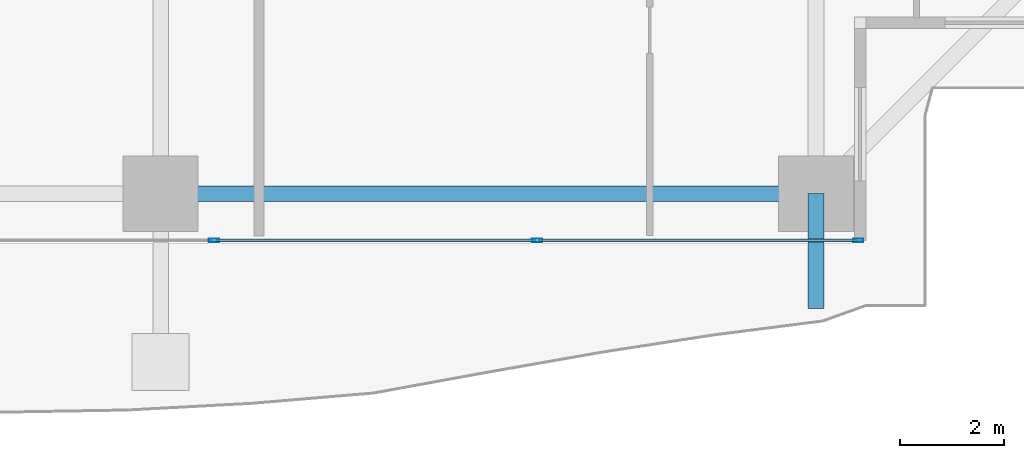
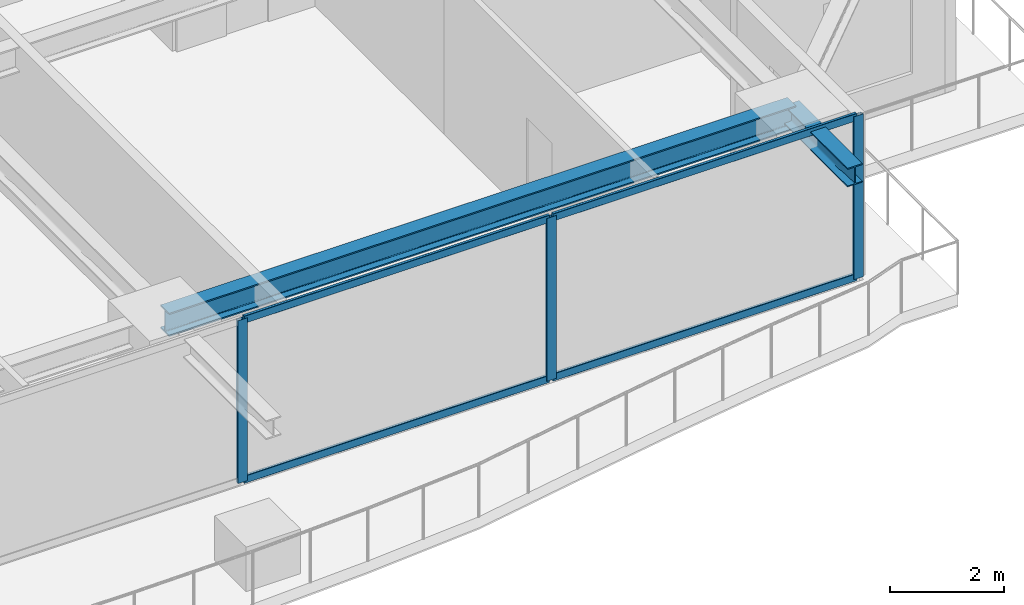
# One storey, part 11 of 41: 7 members, 2 beams, 1 element without a shape of its own.
"""IFC4 building model written with IfcOpenShell, lengths in metres."""

from ifc_helpers import new_model, si_unit, direction, frame, origin, origin_2d, place, context, subcontext, project, spatial, hollow_rectangle, i_section, extrude, source, transform, mapped, material, layer, layer_set, material_profile, profile_set, type_object, element, aggregate, save


model = new_model("IFC4")

# Units and contexts
model_context = context("Model", 3, precision=1e-05, world=origin(), true_north=direction((0.0, 1.0)))
body_context = subcontext(model_context, "Body", "Model", "MODEL_VIEW")
ifc_project = project(units=[si_unit("LENGTHUNIT", "METRE"), si_unit("AREAUNIT", "SQUARE_METRE"), si_unit("VOLUMEUNIT", "CUBIC_METRE"), si_unit("PLANEANGLEUNIT", "RADIAN"), si_unit("MASSUNIT", "GRAM", prefix="KILO")], contexts=[model_context])

# Site, building, storey
site_placement = place(None, origin())
site = spatial("IfcSite", under=ifc_project, at=site_placement, CompositionType="ELEMENT")
building_placement = place(site_placement, origin())
building = spatial("IfcBuilding", under=site, at=building_placement, Name="Serunith Strait Residences", CompositionType="ELEMENT")
storey_placement = place(building_placement, frame((0.0, 0.0, 45.449951171875)))
storey = spatial("IfcBuildingStorey", under=building, at=storey_placement, Name="L10", CompositionType="ELEMENT", Elevation=45.449951171875)

# Beams
ifc_material_1 = material(Name="Steel S355J2", Category="steel")
ifc_material_profile_1 = material_profile(ifc_material_1, i_section(OverallWidth=0.300048828125, OverallDepth=0.5, WebThickness=0.014404296875, FlangeThickness=0.028076171875, FilletRadius=0.027099609375, at=origin_2d()), Name="HEB 500")
ifc_profile_set_1 = profile_set([ifc_material_profile_1], Name="Steel S355J2")
beam_type_1 = type_object("IfcBeamType", Name="BM-HEB500", PredefinedType="BEAM", material=ifc_profile_set_1)
shared_shape_1 = source(origin(), body_context, "Body", "SweptSolid", [
    extrude(i_section(OverallWidth=0.300048828125, OverallDepth=0.5, WebThickness=0.014404296875, FlangeThickness=0.028076171875, FilletRadius=0.027099609375, at=origin_2d()), origin(), (0.0, 0.0, 1.0), 12.650146484375),
])
beam_1_placement = place(storey_placement, frame((36.89990234375, 1.10009765625, 3.237060546875), z_axis=(1.0, 0.0, 0.0), x_axis=(0.0, 1.0, 0.0)))
element("IfcBeam", 1, at=beam_1_placement, inside=storey, type_object=beam_type_1, Name="L10 Perimeter Ring Beam 03", PredefinedType="BEAM", context=body_context, shape_type="MappedRepresentation", body=[
    mapped(shared_shape_1, transform((0.0, 0.0, 0.0), scale=1.0)),
])
ifc_material_profile_2 = material_profile(ifc_material_1, i_section(OverallWidth=0.300048828125, OverallDepth=0.39990234375, WebThickness=0.013427734375, FlangeThickness=0.02392578125, FilletRadius=0.027099609375, at=origin_2d()), Name="HEB 400")
ifc_profile_set_2 = profile_set([ifc_material_profile_2], Name="Steel S355J2")
beam_type_2 = type_object("IfcBeamType", Name="BM-HEB400", PredefinedType="BEAM", material=ifc_profile_set_2)
shared_shape_2 = source(origin(), body_context, "Body", "SweptSolid", [
    extrude(i_section(OverallWidth=0.300048828125, OverallDepth=0.39990234375, WebThickness=0.013427734375, FlangeThickness=0.02392578125, FilletRadius=0.027099609375, at=origin_2d()), origin(), (0.0, 0.0, 1.0), 2.21630859375),
])
beam_2_placement = place(storey_placement, frame((49.550048828125, 1.10009765625, 3.257080078125), z_axis=(0.0, -1.0, 0.0), x_axis=(1.0, 0.0, 0.0)))
element("IfcBeam", 2, at=beam_2_placement, inside=storey, type_object=beam_type_2, Name="L11 Cantilevered Balcony Rib TC-S4", PredefinedType="BEAM", context=body_context, shape_type="MappedRepresentation", body=[
    mapped(shared_shape_2, transform((0.0, 0.0, 0.0), scale=1.0)),
])

# Curtain wall, members
ifc_material_2 = material(Name="Pale-Champagne Anodised Aluminium", Category="aluminium")
ifc_layer = layer(ifc_material_2, 0.199951171875, Name="Pale-Champagne Anodised Aluminium")
ifc_layer_set = layer_set([ifc_layer], Name="Pale-Champagne Anodised Aluminium")
curtain_wall_type = type_object("IfcCurtainWallType", Name="CW-SYS1", PredefinedType="NOTDEFINED", material=ifc_layer_set)
curtain_wall_placement = place(storey_placement, origin())
curtain_wall = element("IfcCurtainWall", 3, at=curtain_wall_placement, inside=storey, type_object=curtain_wall_type, Name="L10 S Unitised Fritted Curtain Wall", PredefinedType="NOTDEFINED")
ifc_material_profile_3 = material_profile(ifc_material_2, hollow_rectangle(XDim=0.070068359375, YDim=0.199951171875, WallThickness=0.00390625, InnerFilletRadius=0.006103515625, OuterFilletRadius=0.010009765625, at=origin_2d()), Name="ALU 200x70x4")
ifc_profile_set_3 = profile_set([ifc_material_profile_3], Name="Pale-Champagne Anodised Aluminium")
member_type_1 = type_object("IfcMemberType", Name="CW-SYS1-MULL", PredefinedType="MULLION", material=ifc_profile_set_3)
shared_shape_3 = source(origin(), body_context, "Body", "SweptSolid", [
    extrude(hollow_rectangle(XDim=0.070068359375, YDim=0.199951171875, WallThickness=0.00390625, InnerFilletRadius=0.006103515625, OuterFilletRadius=0.010009765625, at=origin_2d()), origin(), (0.0, 0.0, 1.0), 3.47509765625),
])
member_1_placement = place(storey_placement, frame((37.933349609375, 0.199951171875, 0.0), z_axis=(0.0, 0.0, 1.0), x_axis=(0.0, 1.0, 0.0)))
member_1 = element("IfcMember", 4, at=member_1_placement, type_object=member_type_1, Name="CW-1 mullion 2", PredefinedType="MULLION", context=body_context, shape_type="MappedRepresentation", body=[
    mapped(shared_shape_3, transform((0.0, 0.0, 0.0), scale=1.0)),
])
member_2_placement = place(storey_placement, frame((44.166748046875, 0.199951171875, 0.0), z_axis=(0.0, 0.0, 1.0), x_axis=(0.0, 1.0, 0.0)))
member_2 = element("IfcMember", 5, at=member_2_placement, type_object=member_type_1, Name="CW-1 mullion 3", PredefinedType="MULLION", context=body_context, shape_type="MappedRepresentation", body=[
    mapped(shared_shape_3, transform((0.0, 0.0, 0.0), scale=1.0)),
])
member_3_placement = place(storey_placement, frame((50.364990234375, 0.199951171875, 0.0), z_axis=(0.0, 0.0, 1.0), x_axis=(0.0, 1.0, 0.0)))
member_3 = element("IfcMember", 6, at=member_3_placement, type_object=member_type_1, Name="CW-1 mullion 4", PredefinedType="MULLION", context=body_context, shape_type="MappedRepresentation", body=[
    mapped(shared_shape_3, transform((0.0, 0.0, 0.0), scale=1.0)),
])
ifc_material_profile_4 = material_profile(ifc_material_2, hollow_rectangle(XDim=0.06005859375, YDim=0.159912109375, WallThickness=0.00341796875, InnerFilletRadius=0.00537109375, OuterFilletRadius=0.0087890625, at=origin_2d()), Name="ALU 160x60x3.5")
ifc_profile_set_4 = profile_set([ifc_material_profile_4], Name="Pale-Champagne Anodised Aluminium")
member_type_2 = type_object("IfcMemberType", Name="CW-SYS1-TRAN", PredefinedType="USERDEFINED", material=ifc_profile_set_4)
shared_shape_4 = source(origin(), body_context, "Body", "SweptSolid", [
    extrude(hollow_rectangle(XDim=0.06005859375, YDim=0.159912109375, WallThickness=0.00341796875, InnerFilletRadius=0.00537109375, OuterFilletRadius=0.0087890625, at=origin_2d()), origin(), (0.0, 0.0, 1.0), 6.12841796875),
])
member_4_placement = place(storey_placement, frame((44.20166015625, 0.199951171875, 0.030029296875), z_axis=(1.0, 0.0, 0.0), x_axis=(0.0, 1.0, 0.0)))
member_4 = element("IfcMember", 7, at=member_4_placement, type_object=member_type_2, Name="CW-1 transom 3.1", ObjectType="TRANSOM", PredefinedType="USERDEFINED", context=body_context, shape_type="MappedRepresentation", body=[
    mapped(shared_shape_4, transform((0.0, 0.0, 0.0), scale=1.0)),
])
member_5_placement = place(storey_placement, frame((44.20166015625, 0.199951171875, 3.445068359375), z_axis=(1.0, 0.0, 0.0), x_axis=(0.0, 1.0, 0.0)))
member_5 = element("IfcMember", 8, at=member_5_placement, type_object=member_type_2, Name="CW-1 transom 3.2", ObjectType="TRANSOM", PredefinedType="USERDEFINED", context=body_context, shape_type="MappedRepresentation", body=[
    mapped(shared_shape_4, transform((0.0, 0.0, 0.0), scale=1.0)),
])
shared_shape_5 = source(origin(), body_context, "Body", "SweptSolid", [
    extrude(hollow_rectangle(XDim=0.06005859375, YDim=0.159912109375, WallThickness=0.00341796875, InnerFilletRadius=0.00537109375, OuterFilletRadius=0.0087890625, at=origin_2d()), origin(), (0.0, 0.0, 1.0), 6.163330078125),
])
member_6_placement = place(storey_placement, frame((37.96826171875, 0.199951171875, 0.030029296875), z_axis=(1.0, 0.0, 0.0), x_axis=(0.0, 1.0, 0.0)))
member_6 = element("IfcMember", 9, at=member_6_placement, type_object=member_type_2, Name="CW-1 transom 2.1", ObjectType="TRANSOM", PredefinedType="USERDEFINED", context=body_context, shape_type="MappedRepresentation", body=[
    mapped(shared_shape_5, transform((0.0, 0.0, 0.0), scale=1.0)),
])
member_7_placement = place(storey_placement, frame((37.96826171875, 0.199951171875, 3.445068359375), z_axis=(1.0, 0.0, 0.0), x_axis=(0.0, 1.0, 0.0)))
member_7 = element("IfcMember", 10, at=member_7_placement, type_object=member_type_2, Name="CW-1 transom 2.2", ObjectType="TRANSOM", PredefinedType="USERDEFINED", context=body_context, shape_type="MappedRepresentation", body=[
    mapped(shared_shape_5, transform((0.0, 0.0, 0.0), scale=1.0)),
])
aggregate(curtain_wall, [member_1, member_2, member_3, member_6, member_7, member_4, member_5])

save(model, "model.ifc")
